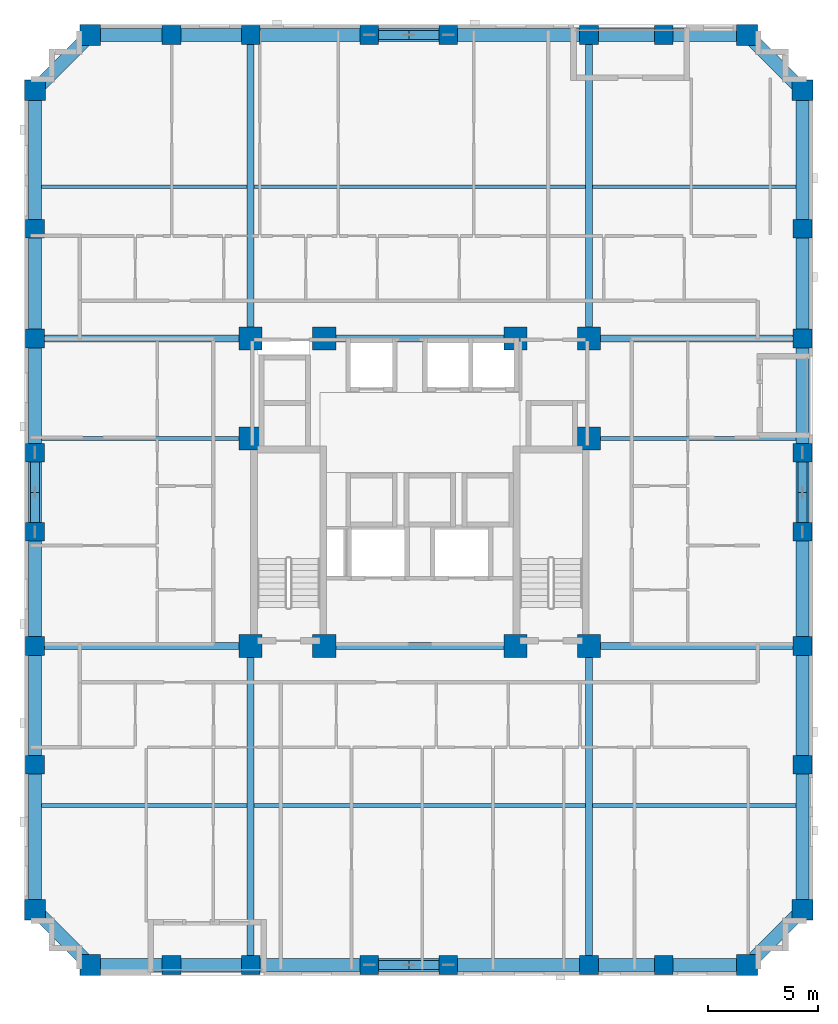
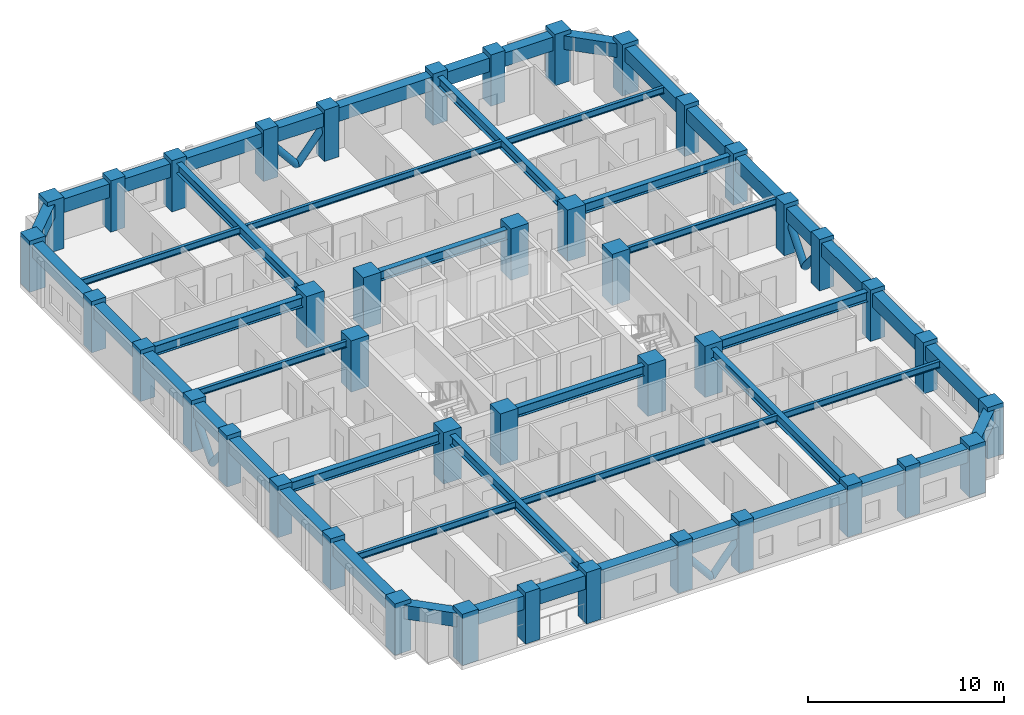
# One storey, part 1 of 12: 50 beams, 42 columns, 8 members.
"""IFC4 building model written with IfcOpenShell, lengths in metres."""

from ifc_helpers import new_model, si_unit, derived_unit, direction, frame, origin, origin_2d, place, context, subcontext, project, spatial, rectangle, hollow_circle, i_section, extrude, material, material_profile, profile_set, type_object, element, save


model = new_model("IFC4")

# Units and contexts
model_context = context("Model", 3, precision=1e-05, world=origin(), true_north=direction((0.0, 1.0)))
body_context = subcontext(model_context, "Body", "Model", "MODEL_VIEW")
ifc_project = project(units=[si_unit("LENGTHUNIT", "METRE"), si_unit("AREAUNIT", "SQUARE_METRE"), si_unit("VOLUMEUNIT", "CUBIC_METRE"), si_unit("PLANEANGLEUNIT", "RADIAN"), si_unit("MASSUNIT", "GRAM", prefix="KILO"), derived_unit("THERMALTRANSMITTANCEUNIT", [(si_unit("MASSUNIT", "GRAM", prefix="KILO"), 1), (si_unit("TIMEUNIT", "SECOND"), -3), (si_unit("THERMODYNAMICTEMPERATUREUNIT", "KELVIN"), -1)])], contexts=[model_context])

# Site, building, storey
site_placement = place(None, origin())
site = spatial("IfcSite", under=ifc_project, at=site_placement, CompositionType="ELEMENT")
building_placement = place(site_placement, origin())
building = spatial("IfcBuilding", under=site, at=building_placement, Name="Korrvale Station Residences", CompositionType="ELEMENT")
storey_placement = place(building_placement, frame((0.0, 0.0, 84.699951171875)))
storey = spatial("IfcBuildingStorey", under=building, at=storey_placement, Name="L23", CompositionType="ELEMENT", Elevation=84.699951171875)

# Columns
ifc_material_1 = material(Name="Concrete C60/75", Category="concrete")
ifc_material_profile_1 = material_profile(ifc_material_1, rectangle(XDim=1.050048828125, YDim=1.050048828125, at=origin_2d()), Name="RC1050x1050")
ifc_profile_set_1 = profile_set([ifc_material_profile_1], Name="Concrete C60/75")
column_type_1 = type_object("IfcColumnType", Name="COL-C-RC1050x1050-C6075", PredefinedType="COLUMN", material=ifc_profile_set_1)
for number, where, z_axis, x_axis, name in (
    (1, (17.800048828125, 15.0, 0.0), (0.0, 0.0, 1.0), (1.0, 0.0, 0.0), "L23 Core Column 01"),
    (2, (21.14990234375, 15.0, 0.0), (0.0, 0.0, 1.0), (1.0, 0.0, 0.0), "L23 Core Column 02"),
    (3, (29.85009765625, 15.0, 0.0), (0.0, 0.0, 1.0), (1.0, 0.0, 0.0), "L23 Core Column 03"),
    (4, (33.199951171875, 15.0, 0.0), (0.0, 0.0, 1.0), (1.0, 0.0, 0.0), "L23 Core Column 04"),
    (5, (17.800048828125, 29.0, 0.0), (0.0, 0.0, 1.0), (1.0, 0.0, 0.0), "L23 Core Column 05"),
    (6, (21.14990234375, 29.0, 0.0), (0.0, 0.0, 1.0), (1.0, 0.0, 0.0), "L23 Core Column 06"),
    (7, (29.85009765625, 29.0, 0.0), (0.0, 0.0, 1.0), (1.0, 0.0, 0.0), "L23 Core Column 07"),
    (8, (33.199951171875, 29.0, 0.0), (0.0, 0.0, 1.0), (1.0, 0.0, 0.0), "L23 Core Column 08"),
    (9, (17.800048828125, 24.449951171875, 0.0), (0.0, 0.0, 1.0), (1.0, 0.0, 0.0), "L23 Core Column 09"),
    (10, (33.199951171875, 24.449951171875, 0.0), (0.0, 0.0, 1.0), (1.0, 0.0, 0.0), "L23 Core Column 10"),
):
    element("IfcColumn", number, at=place(storey_placement, frame(where, z_axis=z_axis, x_axis=x_axis)), inside=storey, type_object=column_type_1, Name=name, PredefinedType="COLUMN", context=body_context, shape_type="SweptSolid", body=[
        extrude(rectangle(XDim=1.050048828125, YDim=1.050048828125, at=origin_2d()), origin(), (0.0, 0.0, 1.0), 3.199951171875),
    ])
ifc_material_profile_2 = material_profile(ifc_material_1, rectangle(XDim=0.85009765625, YDim=0.85009765625, at=origin_2d()), Name="RC850x850")
ifc_profile_set_2 = profile_set([ifc_material_profile_2], Name="Concrete C60/75")
column_type_2 = type_object("IfcColumnType", Name="COL-C-RC850x850-C6075", PredefinedType="COLUMN", material=ifc_profile_set_2)
for number, where, z_axis, x_axis, name in (
    (11, (14.199951171875, 0.47998046875, 0.0), (0.0, 0.0, 1.0), (1.0, 0.0, 0.0), "L23 Bundled-Tube South Column 02"),
    (12, (17.800048828125, 0.47998046875, 0.0), (0.0, 0.0, 1.0), (1.0, 0.0, 0.0), "L23 Bundled-Tube South Column 03"),
    (13, (23.199951171875, 0.47998046875, 0.0), (0.0, 0.0, 1.0), (1.0, 0.0, 0.0), "L23 Bundled-Tube South Column 04"),
    (14, (26.800048828125, 0.47998046875, 0.0), (0.0, 0.0, 1.0), (1.0, 0.0, 0.0), "L23 Bundled-Tube South Column 05"),
    (15, (33.199951171875, 0.47998046875, 0.0), (0.0, 0.0, 1.0), (1.0, 0.0, 0.0), "L23 Bundled-Tube South Column 06"),
    (16, (36.60009765625, 0.47998046875, 0.0), (0.0, 0.0, 1.0), (1.0, 0.0, 0.0), "L23 Bundled-Tube South Column 07"),
    (17, (14.199951171875, 42.820068359375, 0.0), (0.0, 0.0, 1.0), (1.0, 0.0, 0.0), "L23 Bundled-Tube North Column 10"),
    (18, (17.800048828125, 42.820068359375, 0.0), (0.0, 0.0, 1.0), (1.0, 0.0, 0.0), "L23 Bundled-Tube North Column 11"),
    (19, (23.199951171875, 42.820068359375, 0.0), (0.0, 0.0, 1.0), (1.0, 0.0, 0.0), "L23 Bundled-Tube North Column 12"),
    (20, (26.800048828125, 42.820068359375, 0.0), (0.0, 0.0, 1.0), (1.0, 0.0, 0.0), "L23 Bundled-Tube North Column 13"),
    (21, (33.199951171875, 42.820068359375, 0.0), (0.0, 0.0, 1.0), (1.0, 0.0, 0.0), "L23 Bundled-Tube North Column 14"),
    (22, (36.60009765625, 42.820068359375, 0.0), (0.0, 0.0, 1.0), (1.0, 0.0, 0.0), "L23 Bundled-Tube North Column 15"),
    (23, (7.97998046875, 9.60009765625, 0.0), (0.0, 0.0, 1.0), (1.0, 0.0, 0.0), "L23 Bundled-Tube West Column 18"),
    (24, (7.97998046875, 15.0, 0.0), (0.0, 0.0, 1.0), (1.0, 0.0, 0.0), "L23 Bundled-Tube West Column 19"),
    (25, (7.97998046875, 20.199951171875, 0.0), (0.0, 0.0, 1.0), (1.0, 0.0, 0.0), "L23 Bundled-Tube West Column 20"),
    (26, (7.97998046875, 23.800048828125, 0.0), (0.0, 0.0, 1.0), (1.0, 0.0, 0.0), "L23 Bundled-Tube West Column 21"),
    (27, (7.97998046875, 29.0, 0.0), (0.0, 0.0, 1.0), (1.0, 0.0, 0.0), "L23 Bundled-Tube West Column 22"),
    (28, (7.97998046875, 34.0, 0.0), (0.0, 0.0, 1.0), (1.0, 0.0, 0.0), "L23 Bundled-Tube West Column 23"),
    (29, (42.919921875, 9.60009765625, 0.0), (0.0, 0.0, 1.0), (1.0, 0.0, 0.0), "L23 Bundled-Tube East Column 26"),
    (30, (42.919921875, 15.0, 0.0), (0.0, 0.0, 1.0), (1.0, 0.0, 0.0), "L23 Bundled-Tube East Column 27"),
    (31, (42.919921875, 20.199951171875, 0.0), (0.0, 0.0, 1.0), (1.0, 0.0, 0.0), "L23 Bundled-Tube East Column 28"),
    (32, (42.919921875, 23.800048828125, 0.0), (0.0, 0.0, 1.0), (1.0, 0.0, 0.0), "L23 Bundled-Tube East Column 29"),
    (33, (42.919921875, 29.0, 0.0), (0.0, 0.0, 1.0), (1.0, 0.0, 0.0), "L23 Bundled-Tube East Column 30"),
    (34, (42.919921875, 34.0, 0.0), (0.0, 0.0, 1.0), (1.0, 0.0, 0.0), "L23 Bundled-Tube East Column 31"),
):
    element("IfcColumn", number, at=place(storey_placement, frame(where, z_axis=z_axis, x_axis=x_axis)), inside=storey, type_object=column_type_2, Name=name, PredefinedType="COLUMN", context=body_context, shape_type="SweptSolid", body=[
        extrude(rectangle(XDim=0.85009765625, YDim=0.85009765625, at=origin_2d()), origin(), (0.0, 0.0, 1.0), 3.199951171875),
    ])
ifc_material_profile_3 = material_profile(ifc_material_1, rectangle(XDim=0.949951171875, YDim=0.949951171875, at=origin_2d()), Name="RC950x950")
ifc_profile_set_3 = profile_set([ifc_material_profile_3], Name="Concrete C60/75")
column_type_3 = type_object("IfcColumnType", Name="COL-C-RC950x950-C6075", PredefinedType="COLUMN", material=ifc_profile_set_3)
for number, where, z_axis, x_axis, name in (
    (35, (10.5, 0.47998046875, 0.0), (0.0, 0.0, 1.0), (1.0, 0.0, 0.0), "L23 Bundled-Tube South Column 01"),
    (36, (40.39990234375, 0.47998046875, 0.0), (0.0, 0.0, 1.0), (1.0, 0.0, 0.0), "L23 Bundled-Tube South Column 08"),
    (37, (10.5, 42.820068359375, 0.0), (0.0, 0.0, 1.0), (1.0, 0.0, 0.0), "L23 Bundled-Tube North Column 09"),
    (38, (40.39990234375, 42.820068359375, 0.0), (0.0, 0.0, 1.0), (1.0, 0.0, 0.0), "L23 Bundled-Tube North Column 16"),
    (39, (7.97998046875, 3.0, 0.0), (0.0, 0.0, 1.0), (1.0, 0.0, 0.0), "L23 Bundled-Tube West Column 17"),
    (40, (7.97998046875, 40.300048828125, 0.0), (0.0, 0.0, 1.0), (1.0, 0.0, 0.0), "L23 Bundled-Tube West Column 24"),
    (41, (42.919921875, 3.0, 0.0), (0.0, 0.0, 1.0), (1.0, 0.0, 0.0), "L23 Bundled-Tube East Column 25"),
    (42, (42.919921875, 40.300048828125, 0.0), (0.0, 0.0, 1.0), (1.0, 0.0, 0.0), "L23 Bundled-Tube East Column 32"),
):
    element("IfcColumn", number, at=place(storey_placement, frame(where, z_axis=z_axis, x_axis=x_axis)), inside=storey, type_object=column_type_3, Name=name, PredefinedType="COLUMN", context=body_context, shape_type="SweptSolid", body=[
        extrude(rectangle(XDim=0.949951171875, YDim=0.949951171875, at=origin_2d()), origin(), (0.0, 0.0, 1.0), 3.199951171875),
    ])

# Beams
ifc_material_2 = material(Name="Steel S355", Category="steel")
ifc_material_profile_4 = material_profile(ifc_material_2, i_section(OverallWidth=0.324951171875, OverallDepth=0.615966796875, WebThickness=0.013916015625, FlangeThickness=0.021484375, FilletRadius=0.01904296875, at=origin_2d()), Name="W610x174")
ifc_profile_set_4 = profile_set([ifc_material_profile_4], Name="Steel S355")
beam_type_1 = type_object("IfcBeamType", Name="BM-BM-W610x174-S355", PredefinedType="BEAM", material=ifc_profile_set_4)
for number, where, z_axis, x_axis, name in (
    (43, (17.800048828125, 0.47998046875, 2.632080078125), (0.0, 1.0, 0.0), (-1.0, 0.0, 0.0), "L23 Bundled-Tube Web Girder 01"),
    (44, (33.199951171875, 0.47998046875, 2.632080078125), (0.0, 1.0, 0.0), (-1.0, 0.0, 0.0), "L23 Bundled-Tube Web Girder 02"),
):
    element("IfcBeam", number, at=place(storey_placement, frame(where, z_axis=z_axis, x_axis=x_axis)), inside=storey, type_object=beam_type_1, Name=name, PredefinedType="BEAM", context=body_context, shape_type="SweptSolid", body=[
        extrude(i_section(OverallWidth=0.324951171875, OverallDepth=0.615966796875, WebThickness=0.013916015625, FlangeThickness=0.021484375, FilletRadius=0.01904296875, at=origin_2d()), origin(), (0.0, 0.0, 1.0), 14.52001953125),
    ])
for number, where, z_axis, x_axis, name in (
    (45, (17.800048828125, 29.0, 2.632080078125), (0.0, 1.0, 0.0), (-1.0, 0.0, 0.0), "L23 Bundled-Tube Web Girder 03"),
    (46, (33.199951171875, 29.0, 2.632080078125), (0.0, 1.0, 0.0), (-1.0, 0.0, 0.0), "L23 Bundled-Tube Web Girder 04"),
):
    element("IfcBeam", number, at=place(storey_placement, frame(where, z_axis=z_axis, x_axis=x_axis)), inside=storey, type_object=beam_type_1, Name=name, PredefinedType="BEAM", context=body_context, shape_type="SweptSolid", body=[
        extrude(i_section(OverallWidth=0.324951171875, OverallDepth=0.615966796875, WebThickness=0.013916015625, FlangeThickness=0.021484375, FilletRadius=0.01904296875, at=origin_2d()), origin(), (0.0, 0.0, 1.0), 13.820068359375),
    ])
beam_1_placement = place(storey_placement, frame((7.97998046875, 15.0, 2.632080078125), z_axis=(1.0, 0.0, 0.0), x_axis=(0.0, 1.0, 0.0)))
element("IfcBeam", 47, at=beam_1_placement, inside=storey, type_object=beam_type_1, Name="L23 Bundled-Tube Web Girder 05", PredefinedType="BEAM", context=body_context, shape_type="SweptSolid", body=[
    extrude(i_section(OverallWidth=0.324951171875, OverallDepth=0.615966796875, WebThickness=0.013916015625, FlangeThickness=0.021484375, FilletRadius=0.01904296875, at=origin_2d()), origin(), (0.0, 0.0, 1.0), 9.820068359375),
])
beam_2_placement = place(storey_placement, frame((33.199951171875, 15.0, 2.632080078125), z_axis=(1.0, 0.0, 0.0), x_axis=(0.0, 1.0, 0.0)))
element("IfcBeam", 48, at=beam_2_placement, inside=storey, type_object=beam_type_1, Name="L23 Bundled-Tube Web Girder 06", PredefinedType="BEAM", context=body_context, shape_type="SweptSolid", body=[
    extrude(i_section(OverallWidth=0.324951171875, OverallDepth=0.615966796875, WebThickness=0.013916015625, FlangeThickness=0.021484375, FilletRadius=0.01904296875, at=origin_2d()), origin(), (0.0, 0.0, 1.0), 9.719970703125),
])
beam_3_placement = place(storey_placement, frame((7.97998046875, 29.0, 2.632080078125), z_axis=(1.0, 0.0, 0.0), x_axis=(0.0, 1.0, 0.0)))
element("IfcBeam", 49, at=beam_3_placement, inside=storey, type_object=beam_type_1, Name="L23 Bundled-Tube Web Girder 07", PredefinedType="BEAM", context=body_context, shape_type="SweptSolid", body=[
    extrude(i_section(OverallWidth=0.324951171875, OverallDepth=0.615966796875, WebThickness=0.013916015625, FlangeThickness=0.021484375, FilletRadius=0.01904296875, at=origin_2d()), origin(), (0.0, 0.0, 1.0), 9.820068359375),
])
beam_4_placement = place(storey_placement, frame((33.199951171875, 29.0, 2.632080078125), z_axis=(1.0, 0.0, 0.0), x_axis=(0.0, 1.0, 0.0)))
element("IfcBeam", 50, at=beam_4_placement, inside=storey, type_object=beam_type_1, Name="L23 Bundled-Tube Web Girder 08", PredefinedType="BEAM", context=body_context, shape_type="SweptSolid", body=[
    extrude(i_section(OverallWidth=0.324951171875, OverallDepth=0.615966796875, WebThickness=0.013916015625, FlangeThickness=0.021484375, FilletRadius=0.01904296875, at=origin_2d()), origin(), (0.0, 0.0, 1.0), 9.719970703125),
])
for number, where, z_axis, x_axis, name in (
    (51, (21.14990234375, 15.0, 2.632080078125), (1.0, 0.0, 0.0), (0.0, 1.0, 0.0), "L23 Bundled-Tube Web Girder 09"),
    (52, (21.14990234375, 29.0, 2.632080078125), (1.0, 0.0, 0.0), (0.0, 1.0, 0.0), "L23 Bundled-Tube Web Girder 10"),
):
    element("IfcBeam", number, at=place(storey_placement, frame(where, z_axis=z_axis, x_axis=x_axis)), inside=storey, type_object=beam_type_1, Name=name, PredefinedType="BEAM", context=body_context, shape_type="SweptSolid", body=[
        extrude(i_section(OverallWidth=0.324951171875, OverallDepth=0.615966796875, WebThickness=0.013916015625, FlangeThickness=0.021484375, FilletRadius=0.01904296875, at=origin_2d()), origin(), (0.0, 0.0, 1.0), 8.7001953125),
    ])
ifc_material_profile_5 = material_profile(ifc_material_2, i_section(OverallWidth=0.177978515625, OverallDepth=0.406982421875, WebThickness=0.0078125, FlangeThickness=0.0126953125, FilletRadius=0.01611328125, at=origin_2d()), Name="W410x60")
ifc_profile_set_5 = profile_set([ifc_material_profile_5], Name="Steel S355")
beam_type_2 = type_object("IfcBeamType", Name="BM-JST-W410x60-S355", PredefinedType="JOIST", material=ifc_profile_set_5)
beam_5_placement = place(storey_placement, frame((8.280029296875, 7.739990234375, 2.736572265625), z_axis=(1.0, 0.0, 0.0), x_axis=(0.0, 1.0, 0.0)))
element("IfcBeam", 53, at=beam_5_placement, inside=storey, type_object=beam_type_2, Name="L23 Floor Framing Joist 01", PredefinedType="JOIST", context=body_context, shape_type="SweptSolid", body=[
    extrude(i_section(OverallWidth=0.177978515625, OverallDepth=0.406982421875, WebThickness=0.0078125, FlangeThickness=0.0126953125, FilletRadius=0.01611328125, at=origin_2d()), origin(), (0.0, 0.0, 1.0), 9.357421875),
])
beam_6_placement = place(storey_placement, frame((17.96240234375, 7.739990234375, 2.736572265625), z_axis=(1.0, 0.0, 0.0), x_axis=(0.0, 1.0, 0.0)))
element("IfcBeam", 54, at=beam_6_placement, inside=storey, type_object=beam_type_2, Name="L23 Floor Framing Joist 02", PredefinedType="JOIST", context=body_context, shape_type="SweptSolid", body=[
    extrude(i_section(OverallWidth=0.177978515625, OverallDepth=0.406982421875, WebThickness=0.0078125, FlangeThickness=0.0126953125, FilletRadius=0.01611328125, at=origin_2d()), origin(), (0.0, 0.0, 1.0), 15.0751953125),
])
beam_7_placement = place(storey_placement, frame((33.362548828125, 7.739990234375, 2.736572265625), z_axis=(1.0, 0.0, 0.0), x_axis=(0.0, 1.0, 0.0)))
element("IfcBeam", 55, at=beam_7_placement, inside=storey, type_object=beam_type_2, Name="L23 Floor Framing Joist 03", PredefinedType="JOIST", context=body_context, shape_type="SweptSolid", body=[
    extrude(i_section(OverallWidth=0.177978515625, OverallDepth=0.406982421875, WebThickness=0.0078125, FlangeThickness=0.0126953125, FilletRadius=0.01611328125, at=origin_2d()), origin(), (0.0, 0.0, 1.0), 9.257568359375),
])
beam_8_placement = place(storey_placement, frame((8.280029296875, 35.909912109375, 2.736572265625), z_axis=(1.0, 0.0, 0.0), x_axis=(0.0, 1.0, 0.0)))
element("IfcBeam", 56, at=beam_8_placement, inside=storey, type_object=beam_type_2, Name="L23 Floor Framing Joist 04", PredefinedType="JOIST", context=body_context, shape_type="SweptSolid", body=[
    extrude(i_section(OverallWidth=0.177978515625, OverallDepth=0.406982421875, WebThickness=0.0078125, FlangeThickness=0.0126953125, FilletRadius=0.01611328125, at=origin_2d()), origin(), (0.0, 0.0, 1.0), 9.357421875),
])
beam_9_placement = place(storey_placement, frame((17.96240234375, 35.909912109375, 2.736572265625), z_axis=(1.0, 0.0, 0.0), x_axis=(0.0, 1.0, 0.0)))
element("IfcBeam", 57, at=beam_9_placement, inside=storey, type_object=beam_type_2, Name="L23 Floor Framing Joist 05", PredefinedType="JOIST", context=body_context, shape_type="SweptSolid", body=[
    extrude(i_section(OverallWidth=0.177978515625, OverallDepth=0.406982421875, WebThickness=0.0078125, FlangeThickness=0.0126953125, FilletRadius=0.01611328125, at=origin_2d()), origin(), (0.0, 0.0, 1.0), 15.0751953125),
])
beam_10_placement = place(storey_placement, frame((33.362548828125, 35.909912109375, 2.736572265625), z_axis=(1.0, 0.0, 0.0), x_axis=(0.0, 1.0, 0.0)))
element("IfcBeam", 58, at=beam_10_placement, inside=storey, type_object=beam_type_2, Name="L23 Floor Framing Joist 06", PredefinedType="JOIST", context=body_context, shape_type="SweptSolid", body=[
    extrude(i_section(OverallWidth=0.177978515625, OverallDepth=0.406982421875, WebThickness=0.0078125, FlangeThickness=0.0126953125, FilletRadius=0.01611328125, at=origin_2d()), origin(), (0.0, 0.0, 1.0), 9.257568359375),
])
beam_11_placement = place(storey_placement, frame((33.199951171875, 24.449951171875, 2.736572265625), z_axis=(1.0, 0.0, 0.0), x_axis=(0.0, 1.0, 0.0)))
element("IfcBeam", 59, at=beam_11_placement, inside=storey, type_object=beam_type_2, Name="L23 Floor Framing Joist 07", PredefinedType="JOIST", context=body_context, shape_type="SweptSolid", body=[
    extrude(i_section(OverallWidth=0.177978515625, OverallDepth=0.406982421875, WebThickness=0.0078125, FlangeThickness=0.0126953125, FilletRadius=0.01611328125, at=origin_2d()), origin(), (0.0, 0.0, 1.0), 9.420166015625),
])
beam_12_placement = place(storey_placement, frame((8.280029296875, 24.449951171875, 2.736572265625), z_axis=(1.0, 0.0, 0.0), x_axis=(0.0, 1.0, 0.0)))
element("IfcBeam", 60, at=beam_12_placement, inside=storey, type_object=beam_type_2, Name="L23 Floor Framing Joist 08", PredefinedType="JOIST", context=body_context, shape_type="SweptSolid", body=[
    extrude(i_section(OverallWidth=0.177978515625, OverallDepth=0.406982421875, WebThickness=0.0078125, FlangeThickness=0.0126953125, FilletRadius=0.01611328125, at=origin_2d()), origin(), (0.0, 0.0, 1.0), 9.52001953125),
])
ifc_material_profile_6 = material_profile(ifc_material_1, rectangle(XDim=0.60009765625, YDim=0.85009765625, at=origin_2d()), Name="RCB600x850")
ifc_profile_set_6 = profile_set([ifc_material_profile_6], Name="Concrete C60/75")
beam_type_3 = type_object("IfcBeamType", Name="BM-SPB-RCB600x850-C6075", PredefinedType="SPANDREL", material=ifc_profile_set_6)
beam_13_placement = place(storey_placement, frame((10.5, 0.47998046875, 2.51513671875), z_axis=(1.0, 0.0, 0.0), x_axis=(0.0, 1.0, 0.0)))
element("IfcBeam", 61, at=beam_13_placement, inside=storey, type_object=beam_type_3, Name="L23 South Tube Spandrel 01", PredefinedType="SPANDREL", context=body_context, shape_type="SweptSolid", body=[
    extrude(rectangle(XDim=0.60009765625, YDim=0.85009765625, at=origin_2d()), origin(), (0.0, 0.0, 1.0), 3.699951171875),
])
beam_14_placement = place(storey_placement, frame((14.199951171875, 0.47998046875, 2.51513671875), z_axis=(1.0, 0.0, 0.0), x_axis=(0.0, 1.0, 0.0)))
element("IfcBeam", 62, at=beam_14_placement, inside=storey, type_object=beam_type_3, Name="L23 South Tube Spandrel 02", PredefinedType="SPANDREL", context=body_context, shape_type="SweptSolid", body=[
    extrude(rectangle(XDim=0.60009765625, YDim=0.85009765625, at=origin_2d()), origin(), (0.0, 0.0, 1.0), 3.60009765625),
])
beam_15_placement = place(storey_placement, frame((17.800048828125, 0.47998046875, 2.51513671875), z_axis=(1.0, 0.0, 0.0), x_axis=(0.0, 1.0, 0.0)))
element("IfcBeam", 63, at=beam_15_placement, inside=storey, type_object=beam_type_3, Name="L23 South Tube Spandrel 03", PredefinedType="SPANDREL", context=body_context, shape_type="SweptSolid", body=[
    extrude(rectangle(XDim=0.60009765625, YDim=0.85009765625, at=origin_2d()), origin(), (0.0, 0.0, 1.0), 5.39990234375),
])
beam_16_placement = place(storey_placement, frame((23.199951171875, 0.47998046875, 2.51513671875), z_axis=(1.0, 0.0, 0.0), x_axis=(0.0, 1.0, 0.0)))
element("IfcBeam", 64, at=beam_16_placement, inside=storey, type_object=beam_type_3, Name="L23 South Tube Spandrel 04", PredefinedType="SPANDREL", context=body_context, shape_type="SweptSolid", body=[
    extrude(rectangle(XDim=0.60009765625, YDim=0.85009765625, at=origin_2d()), origin(), (0.0, 0.0, 1.0), 3.60009765625),
])
beam_17_placement = place(storey_placement, frame((26.800048828125, 0.47998046875, 2.51513671875), z_axis=(1.0, 0.0, 0.0), x_axis=(0.0, 1.0, 0.0)))
element("IfcBeam", 65, at=beam_17_placement, inside=storey, type_object=beam_type_3, Name="L23 South Tube Spandrel 05", PredefinedType="SPANDREL", context=body_context, shape_type="SweptSolid", body=[
    extrude(rectangle(XDim=0.60009765625, YDim=0.85009765625, at=origin_2d()), origin(), (0.0, 0.0, 1.0), 6.39990234375),
])
beam_18_placement = place(storey_placement, frame((33.199951171875, 0.47998046875, 2.51513671875), z_axis=(1.0, 0.0, 0.0), x_axis=(0.0, 1.0, 0.0)))
element("IfcBeam", 66, at=beam_18_placement, inside=storey, type_object=beam_type_3, Name="L23 South Tube Spandrel 06", PredefinedType="SPANDREL", context=body_context, shape_type="SweptSolid", body=[
    extrude(rectangle(XDim=0.60009765625, YDim=0.85009765625, at=origin_2d()), origin(), (0.0, 0.0, 1.0), 3.400146484375),
])
beam_19_placement = place(storey_placement, frame((36.60009765625, 0.47998046875, 2.51513671875), z_axis=(1.0, 0.0, 0.0), x_axis=(0.0, 1.0, 0.0)))
element("IfcBeam", 67, at=beam_19_placement, inside=storey, type_object=beam_type_3, Name="L23 South Tube Spandrel 07", PredefinedType="SPANDREL", context=body_context, shape_type="SweptSolid", body=[
    extrude(rectangle(XDim=0.60009765625, YDim=0.85009765625, at=origin_2d()), origin(), (0.0, 0.0, 1.0), 3.7998046875),
])
beam_20_placement = place(storey_placement, frame((10.5, 42.820068359375, 2.51513671875), z_axis=(1.0, 0.0, 0.0), x_axis=(0.0, 1.0, 0.0)))
element("IfcBeam", 68, at=beam_20_placement, inside=storey, type_object=beam_type_3, Name="L23 North Tube Spandrel 08", PredefinedType="SPANDREL", context=body_context, shape_type="SweptSolid", body=[
    extrude(rectangle(XDim=0.60009765625, YDim=0.85009765625, at=origin_2d()), origin(), (0.0, 0.0, 1.0), 3.699951171875),
])
beam_21_placement = place(storey_placement, frame((14.199951171875, 42.820068359375, 2.51513671875), z_axis=(1.0, 0.0, 0.0), x_axis=(0.0, 1.0, 0.0)))
element("IfcBeam", 69, at=beam_21_placement, inside=storey, type_object=beam_type_3, Name="L23 North Tube Spandrel 09", PredefinedType="SPANDREL", context=body_context, shape_type="SweptSolid", body=[
    extrude(rectangle(XDim=0.60009765625, YDim=0.85009765625, at=origin_2d()), origin(), (0.0, 0.0, 1.0), 3.60009765625),
])
beam_22_placement = place(storey_placement, frame((17.800048828125, 42.820068359375, 2.51513671875), z_axis=(1.0, 0.0, 0.0), x_axis=(0.0, 1.0, 0.0)))
element("IfcBeam", 70, at=beam_22_placement, inside=storey, type_object=beam_type_3, Name="L23 North Tube Spandrel 10", PredefinedType="SPANDREL", context=body_context, shape_type="SweptSolid", body=[
    extrude(rectangle(XDim=0.60009765625, YDim=0.85009765625, at=origin_2d()), origin(), (0.0, 0.0, 1.0), 5.39990234375),
])
beam_23_placement = place(storey_placement, frame((23.199951171875, 42.820068359375, 2.51513671875), z_axis=(1.0, 0.0, 0.0), x_axis=(0.0, 1.0, 0.0)))
element("IfcBeam", 71, at=beam_23_placement, inside=storey, type_object=beam_type_3, Name="L23 North Tube Spandrel 11", PredefinedType="SPANDREL", context=body_context, shape_type="SweptSolid", body=[
    extrude(rectangle(XDim=0.60009765625, YDim=0.85009765625, at=origin_2d()), origin(), (0.0, 0.0, 1.0), 3.60009765625),
])
beam_24_placement = place(storey_placement, frame((26.800048828125, 42.820068359375, 2.51513671875), z_axis=(1.0, 0.0, 0.0), x_axis=(0.0, 1.0, 0.0)))
element("IfcBeam", 72, at=beam_24_placement, inside=storey, type_object=beam_type_3, Name="L23 North Tube Spandrel 12", PredefinedType="SPANDREL", context=body_context, shape_type="SweptSolid", body=[
    extrude(rectangle(XDim=0.60009765625, YDim=0.85009765625, at=origin_2d()), origin(), (0.0, 0.0, 1.0), 6.39990234375),
])
beam_25_placement = place(storey_placement, frame((33.199951171875, 42.820068359375, 2.51513671875), z_axis=(1.0, 0.0, 0.0), x_axis=(0.0, 1.0, 0.0)))
element("IfcBeam", 73, at=beam_25_placement, inside=storey, type_object=beam_type_3, Name="L23 North Tube Spandrel 13", PredefinedType="SPANDREL", context=body_context, shape_type="SweptSolid", body=[
    extrude(rectangle(XDim=0.60009765625, YDim=0.85009765625, at=origin_2d()), origin(), (0.0, 0.0, 1.0), 3.400146484375),
])
beam_26_placement = place(storey_placement, frame((36.60009765625, 42.820068359375, 2.51513671875), z_axis=(1.0, 0.0, 0.0), x_axis=(0.0, 1.0, 0.0)))
element("IfcBeam", 74, at=beam_26_placement, inside=storey, type_object=beam_type_3, Name="L23 North Tube Spandrel 14", PredefinedType="SPANDREL", context=body_context, shape_type="SweptSolid", body=[
    extrude(rectangle(XDim=0.60009765625, YDim=0.85009765625, at=origin_2d()), origin(), (0.0, 0.0, 1.0), 3.7998046875),
])
beam_27_placement = place(storey_placement, frame((7.97998046875, 3.0, 2.51513671875), z_axis=(0.0, 1.0, 0.0), x_axis=(-1.0, 0.0, 0.0)))
element("IfcBeam", 75, at=beam_27_placement, inside=storey, type_object=beam_type_3, Name="L23 West Tube Spandrel 15", PredefinedType="SPANDREL", context=body_context, shape_type="SweptSolid", body=[
    extrude(rectangle(XDim=0.60009765625, YDim=0.85009765625, at=origin_2d()), origin(), (0.0, 0.0, 1.0), 6.60009765625),
])
beam_28_placement = place(storey_placement, frame((7.97998046875, 9.60009765625, 2.51513671875), z_axis=(0.0, 1.0, 0.0), x_axis=(-1.0, 0.0, 0.0)))
element("IfcBeam", 76, at=beam_28_placement, inside=storey, type_object=beam_type_3, Name="L23 West Tube Spandrel 16", PredefinedType="SPANDREL", context=body_context, shape_type="SweptSolid", body=[
    extrude(rectangle(XDim=0.60009765625, YDim=0.85009765625, at=origin_2d()), origin(), (0.0, 0.0, 1.0), 5.39990234375),
])
beam_29_placement = place(storey_placement, frame((7.97998046875, 15.0, 2.51513671875), z_axis=(0.0, 1.0, 0.0), x_axis=(-1.0, 0.0, 0.0)))
element("IfcBeam", 77, at=beam_29_placement, inside=storey, type_object=beam_type_3, Name="L23 West Tube Spandrel 17", PredefinedType="SPANDREL", context=body_context, shape_type="SweptSolid", body=[
    extrude(rectangle(XDim=0.60009765625, YDim=0.85009765625, at=origin_2d()), origin(), (0.0, 0.0, 1.0), 5.199951171875),
])
beam_30_placement = place(storey_placement, frame((7.97998046875, 20.199951171875, 2.51513671875), z_axis=(0.0, 1.0, 0.0), x_axis=(-1.0, 0.0, 0.0)))
element("IfcBeam", 78, at=beam_30_placement, inside=storey, type_object=beam_type_3, Name="L23 West Tube Spandrel 18", PredefinedType="SPANDREL", context=body_context, shape_type="SweptSolid", body=[
    extrude(rectangle(XDim=0.60009765625, YDim=0.85009765625, at=origin_2d()), origin(), (0.0, 0.0, 1.0), 3.60009765625),
])
beam_31_placement = place(storey_placement, frame((7.97998046875, 23.800048828125, 2.51513671875), z_axis=(0.0, 1.0, 0.0), x_axis=(-1.0, 0.0, 0.0)))
element("IfcBeam", 79, at=beam_31_placement, inside=storey, type_object=beam_type_3, Name="L23 West Tube Spandrel 19", PredefinedType="SPANDREL", context=body_context, shape_type="SweptSolid", body=[
    extrude(rectangle(XDim=0.60009765625, YDim=0.85009765625, at=origin_2d()), origin(), (0.0, 0.0, 1.0), 5.199951171875),
])
beam_32_placement = place(storey_placement, frame((7.97998046875, 29.0, 2.51513671875), z_axis=(0.0, 1.0, 0.0), x_axis=(-1.0, 0.0, 0.0)))
element("IfcBeam", 80, at=beam_32_placement, inside=storey, type_object=beam_type_3, Name="L23 West Tube Spandrel 20", PredefinedType="SPANDREL", context=body_context, shape_type="SweptSolid", body=[
    extrude(rectangle(XDim=0.60009765625, YDim=0.85009765625, at=origin_2d()), origin(), (0.0, 0.0, 1.0), 5.0),
])
beam_33_placement = place(storey_placement, frame((7.97998046875, 34.0, 2.51513671875), z_axis=(0.0, 1.0, 0.0), x_axis=(-1.0, 0.0, 0.0)))
element("IfcBeam", 81, at=beam_33_placement, inside=storey, type_object=beam_type_3, Name="L23 West Tube Spandrel 21", PredefinedType="SPANDREL", context=body_context, shape_type="SweptSolid", body=[
    extrude(rectangle(XDim=0.60009765625, YDim=0.85009765625, at=origin_2d()), origin(), (0.0, 0.0, 1.0), 6.300048828125),
])
beam_34_placement = place(storey_placement, frame((42.919921875, 3.0, 2.51513671875), z_axis=(0.0, 1.0, 0.0), x_axis=(-1.0, 0.0, 0.0)))
element("IfcBeam", 82, at=beam_34_placement, inside=storey, type_object=beam_type_3, Name="L23 East Tube Spandrel 22", PredefinedType="SPANDREL", context=body_context, shape_type="SweptSolid", body=[
    extrude(rectangle(XDim=0.60009765625, YDim=0.85009765625, at=origin_2d()), origin(), (0.0, 0.0, 1.0), 6.60009765625),
])
beam_35_placement = place(storey_placement, frame((42.919921875, 9.60009765625, 2.51513671875), z_axis=(0.0, 1.0, 0.0), x_axis=(-1.0, 0.0, 0.0)))
element("IfcBeam", 83, at=beam_35_placement, inside=storey, type_object=beam_type_3, Name="L23 East Tube Spandrel 23", PredefinedType="SPANDREL", context=body_context, shape_type="SweptSolid", body=[
    extrude(rectangle(XDim=0.60009765625, YDim=0.85009765625, at=origin_2d()), origin(), (0.0, 0.0, 1.0), 5.39990234375),
])
beam_36_placement = place(storey_placement, frame((42.919921875, 15.0, 2.51513671875), z_axis=(0.0, 1.0, 0.0), x_axis=(-1.0, 0.0, 0.0)))
element("IfcBeam", 84, at=beam_36_placement, inside=storey, type_object=beam_type_3, Name="L23 East Tube Spandrel 24", PredefinedType="SPANDREL", context=body_context, shape_type="SweptSolid", body=[
    extrude(rectangle(XDim=0.60009765625, YDim=0.85009765625, at=origin_2d()), origin(), (0.0, 0.0, 1.0), 5.199951171875),
])
beam_37_placement = place(storey_placement, frame((42.919921875, 20.199951171875, 2.51513671875), z_axis=(0.0, 1.0, 0.0), x_axis=(-1.0, 0.0, 0.0)))
element("IfcBeam", 85, at=beam_37_placement, inside=storey, type_object=beam_type_3, Name="L23 East Tube Spandrel 25", PredefinedType="SPANDREL", context=body_context, shape_type="SweptSolid", body=[
    extrude(rectangle(XDim=0.60009765625, YDim=0.85009765625, at=origin_2d()), origin(), (0.0, 0.0, 1.0), 3.60009765625),
])
beam_38_placement = place(storey_placement, frame((42.919921875, 23.800048828125, 2.51513671875), z_axis=(0.0, 1.0, 0.0), x_axis=(-1.0, 0.0, 0.0)))
element("IfcBeam", 86, at=beam_38_placement, inside=storey, type_object=beam_type_3, Name="L23 East Tube Spandrel 26", PredefinedType="SPANDREL", context=body_context, shape_type="SweptSolid", body=[
    extrude(rectangle(XDim=0.60009765625, YDim=0.85009765625, at=origin_2d()), origin(), (0.0, 0.0, 1.0), 5.199951171875),
])
beam_39_placement = place(storey_placement, frame((42.919921875, 29.0, 2.51513671875), z_axis=(0.0, 1.0, 0.0), x_axis=(-1.0, 0.0, 0.0)))
element("IfcBeam", 87, at=beam_39_placement, inside=storey, type_object=beam_type_3, Name="L23 East Tube Spandrel 27", PredefinedType="SPANDREL", context=body_context, shape_type="SweptSolid", body=[
    extrude(rectangle(XDim=0.60009765625, YDim=0.85009765625, at=origin_2d()), origin(), (0.0, 0.0, 1.0), 5.0),
])
beam_40_placement = place(storey_placement, frame((42.919921875, 34.0, 2.51513671875), z_axis=(0.0, 1.0, 0.0), x_axis=(-1.0, 0.0, 0.0)))
element("IfcBeam", 88, at=beam_40_placement, inside=storey, type_object=beam_type_3, Name="L23 East Tube Spandrel 28", PredefinedType="SPANDREL", context=body_context, shape_type="SweptSolid", body=[
    extrude(rectangle(XDim=0.60009765625, YDim=0.85009765625, at=origin_2d()), origin(), (0.0, 0.0, 1.0), 6.300048828125),
])
for number, where, z_axis, x_axis, name in (
    (89, (10.5, 0.47998046875, 2.51513671875), (-0.707106781187, 0.707106781187, 0.0), (-0.707106781187, -0.707106781187, 0.0), "L23 Serrated Corner Spandrel 29"),
    (90, (40.39990234375, 0.47998046875, 2.51513671875), (0.707106781187, 0.707106781187, 0.0), (-0.707106781187, 0.707106781187, 0.0), "L23 Serrated Corner Spandrel 30"),
    (91, (40.39990234375, 42.820068359375, 2.51513671875), (0.707106781187, -0.707106781187, 0.0), (0.707106781187, 0.707106781187, 0.0), "L23 Serrated Corner Spandrel 31"),
    (92, (10.5, 42.820068359375, 2.51513671875), (-0.707106781187, -0.707106781187, 0.0), (0.707106781187, -0.707106781187, 0.0), "L23 Serrated Corner Spandrel 32"),
):
    element("IfcBeam", number, at=place(storey_placement, frame(where, z_axis=z_axis, x_axis=x_axis)), inside=storey, type_object=beam_type_3, Name=name, PredefinedType="SPANDREL", context=body_context, shape_type="SweptSolid", body=[
        extrude(rectangle(XDim=0.60009765625, YDim=0.85009765625, at=origin_2d()), origin(), (0.0, 0.0, 1.0), 3.56396484375),
    ])

# Members
ifc_material_profile_7 = material_profile(ifc_material_2, hollow_circle(Radius=0.203125, WallThickness=0.015869140625, at=origin_2d()), Name="HSS406x16")
ifc_profile_set_7 = profile_set([ifc_material_profile_7], Name="Steel S355")
member_type = type_object("IfcMemberType", Name="MBR-BR-HSS406x16", PredefinedType="BRACE", material=ifc_profile_set_7)
for number, where, z_axis, x_axis, name in (
    (93, (25.0, 0.47998046875, 0.02001953125), (-0.634985494602, 0.0, 0.772524058942), (0.0, -1.0, 0.0), "L23 S Perimeter Tube Wind Brace 1"),
    (94, (25.0, 0.47998046875, 0.02001953125), (0.634985494602, 0.0, 0.772524058942), (0.0, 1.0, 0.0), "L23 S Perimeter Tube Wind Brace 2"),
    (95, (25.0, 42.820068359375, 0.02001953125), (-0.634985494602, 0.0, 0.772524058942), (0.0, -1.0, 0.0), "L23 N Perimeter Tube Wind Brace 1"),
    (96, (25.0, 42.820068359375, 0.02001953125), (0.634985494602, 0.0, 0.772524058942), (0.0, 1.0, 0.0), "L23 N Perimeter Tube Wind Brace 2"),
    (97, (7.97998046875, 22.0, 0.02001953125), (0.0, -0.634985494602, 0.772524058942), (1.0, 0.0, 0.0), "L23 W Perimeter Tube Wind Brace 1"),
    (98, (7.97998046875, 22.0, 0.02001953125), (0.0, 0.634985494602, 0.772524058942), (-1.0, 0.0, 0.0), "L23 W Perimeter Tube Wind Brace 2"),
    (99, (42.919921875, 22.0, 0.02001953125), (0.0, -0.634985494602, 0.772524058942), (1.0, 0.0, 0.0), "L23 E Perimeter Tube Wind Brace 1"),
    (100, (42.919921875, 22.0, 0.02001953125), (0.0, 0.634985494602, 0.772524058942), (-1.0, 0.0, 0.0), "L23 E Perimeter Tube Wind Brace 2"),
):
    element("IfcMember", number, at=place(storey_placement, frame(where, z_axis=z_axis, x_axis=x_axis)), inside=storey, type_object=member_type, Name=name, PredefinedType="BRACE", context=body_context, shape_type="SweptSolid", body=[
        extrude(hollow_circle(Radius=0.203125, WallThickness=0.015869140625, at=origin_2d()), origin(), (0.0, 0.0, 1.0), 2.834716796875),
    ])

save(model, "model.ifc")
